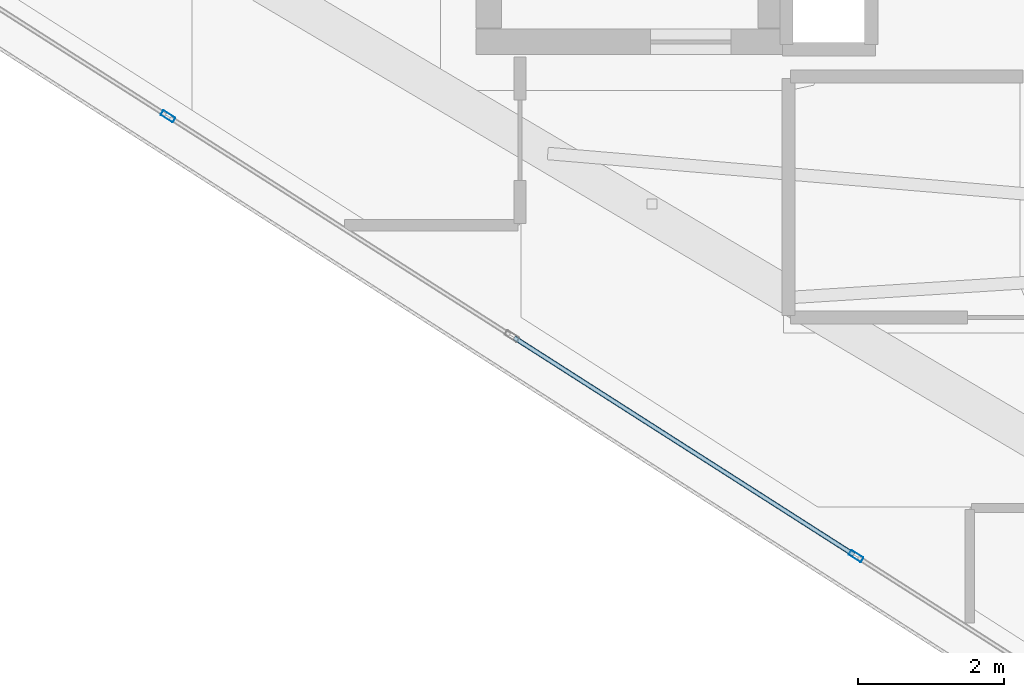
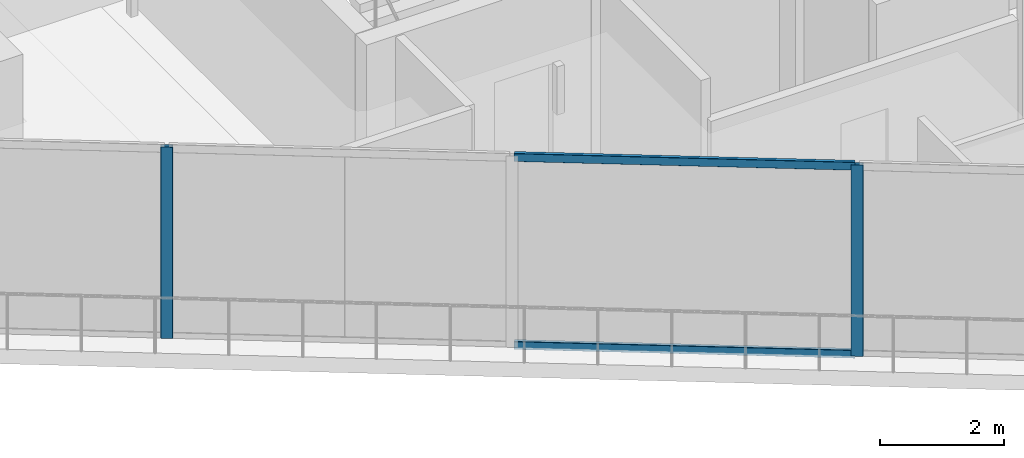
# One storey, part 2 of 26: 4 members, 1 element without a shape of its own.
"""IFC4 building model written with IfcOpenShell, lengths in metres."""

from ifc_helpers import new_model, si_unit, direction, frame, origin, origin_2d, place, context, subcontext, project, spatial, hollow_rectangle, extrude, material, layer, layer_set, material_profile, profile_set, type_object, element, aggregate, save


model = new_model("IFC4")

# Units and contexts
model_context = context("Model", 3, precision=1e-05, world=origin(), true_north=direction((0.0, 1.0)))
body_context = subcontext(model_context, "Body", "Model", "MODEL_VIEW")
ifc_project = project(units=[si_unit("LENGTHUNIT", "METRE"), si_unit("AREAUNIT", "SQUARE_METRE"), si_unit("VOLUMEUNIT", "CUBIC_METRE"), si_unit("PLANEANGLEUNIT", "RADIAN"), si_unit("MASSUNIT", "GRAM", prefix="KILO")], contexts=[model_context])

# Site, building, storey
site_placement = place(None, origin())
site = spatial("IfcSite", under=ifc_project, at=site_placement, CompositionType="ELEMENT")
building_placement = place(site_placement, origin())
building = spatial("IfcBuilding", under=site, at=building_placement, Name="Qorvath Tower", CompositionType="ELEMENT")
storey_placement = place(building_placement, frame((0.0, 0.0, 322.800048828125)))
storey = spatial("IfcBuildingStorey", under=building, at=storey_placement, Name="L75", CompositionType="ELEMENT", Elevation=322.800048828125)

# Curtain wall, members
ifc_material_1 = material(Name="Anodised aluminium and triple low-E glass", Category="aluminium")
ifc_layer = layer(ifc_material_1, 0.179931640625)
ifc_layer_set = layer_set([ifc_layer], Name="CW-SYS-4")
curtain_wall_type = type_object("IfcCurtainWallType", Name="CW-SYS-4", PredefinedType="NOTDEFINED", material=ifc_layer_set)
curtain_wall_placement = place(storey_placement, origin())
curtain_wall = element("IfcCurtainWall", 1, at=curtain_wall_placement, inside=storey, type_object=curtain_wall_type, Name="Curtain Wall CW-4 CW-T-L75-2.1", PredefinedType="NOTDEFINED")
ifc_material_2 = material(Name="Anodised aluminium 6063-T6", Category="aluminium")
ifc_material_profile_1 = material_profile(ifc_material_2, hollow_rectangle(XDim=0.074951171875, YDim=0.199951171875, WallThickness=0.00390625, InnerFilletRadius=0.00390625, OuterFilletRadius=0.008056640625, at=origin_2d()), Name="CWM 200x75")
ifc_profile_set_1 = profile_set([ifc_material_profile_1], Name="Anodised aluminium 6063-T6")
member_type_1 = type_object("IfcMemberType", Name="CWM-200", PredefinedType="MULLION", material=ifc_profile_set_1)
member_1_placement = place(storey_placement, frame((-42.68017578125, -5.59423828125, 0.0), z_axis=(0.0, 0.0, 1.0), x_axis=(0.538535622768, 0.842602743296, 0.0)))
member_1 = element("IfcMember", 2, at=member_1_placement, type_object=member_type_1, Name="CW-4 mullion 2", PredefinedType="MULLION", context=body_context, shape_type="SweptSolid", body=[
    extrude(hollow_rectangle(XDim=0.074951171875, YDim=0.199951171875, WallThickness=0.00390625, InnerFilletRadius=0.00390625, OuterFilletRadius=0.008056640625, at=origin_2d()), origin(), (0.0, 0.0, 1.0), 3.780029296875),
])
member_2_placement = place(storey_placement, frame((-33.25390625, -11.618896484375, 0.0), z_axis=(0.0, 0.0, 1.0), x_axis=(0.538535622768, 0.842602743296, 0.0)))
member_2 = element("IfcMember", 3, at=member_2_placement, type_object=member_type_1, Name="CW-4 mullion 4", PredefinedType="MULLION", context=body_context, shape_type="SweptSolid", body=[
    extrude(hollow_rectangle(XDim=0.074951171875, YDim=0.199951171875, WallThickness=0.00390625, InnerFilletRadius=0.00390625, OuterFilletRadius=0.008056640625, at=origin_2d()), origin(), (0.0, 0.0, 1.0), 3.780029296875),
])
ifc_material_3 = material(Name="Anodised aluminium 6063-T6", Category="aluminium")
ifc_material_profile_2 = material_profile(ifc_material_3, hollow_rectangle(XDim=0.06494140625, YDim=0.159912109375, WallThickness=0.00341796875, InnerFilletRadius=0.00341796875, OuterFilletRadius=0.007080078125, at=origin_2d()), Name="CWT 160x65")
ifc_profile_set_2 = profile_set([ifc_material_profile_2], Name="Anodised aluminium 6063-T6")
member_type_2 = type_object("IfcMemberType", Name="CWT-160", PredefinedType="USERDEFINED", material=ifc_profile_set_2)
member_3_placement = place(storey_placement, frame((-37.935546875, -8.626708984375, 0.032470703125), z_axis=(0.842601463346, -0.538537625397, 0.0), x_axis=(0.538537625397, 0.842601463346, 0.0)))
member_3 = element("IfcMember", 4, at=member_3_placement, type_object=member_type_2, Name="CW-4 transom 3.1", ObjectType="TRANSOM", PredefinedType="USERDEFINED", context=body_context, shape_type="SweptSolid", body=[
    extrude(hollow_rectangle(XDim=0.06494140625, YDim=0.159912109375, WallThickness=0.00341796875, InnerFilletRadius=0.00341796875, OuterFilletRadius=0.007080078125, at=origin_2d()), origin(), (0.0, 0.0, 1.0), 5.5185546875),
])
member_4_placement = place(storey_placement, frame((-37.935546875, -8.626708984375, 3.74755859375), z_axis=(0.842601463346, -0.538537625397, 0.0), x_axis=(0.538537625397, 0.842601463346, 0.0)))
member_4 = element("IfcMember", 5, at=member_4_placement, type_object=member_type_2, Name="CW-4 transom 3.2", ObjectType="TRANSOM", PredefinedType="USERDEFINED", context=body_context, shape_type="SweptSolid", body=[
    extrude(hollow_rectangle(XDim=0.06494140625, YDim=0.159912109375, WallThickness=0.00341796875, InnerFilletRadius=0.00341796875, OuterFilletRadius=0.007080078125, at=origin_2d()), origin(), (0.0, 0.0, 1.0), 5.5185546875),
])
aggregate(curtain_wall, [member_1, member_2, member_3, member_4])

save(model, "model.ifc")
